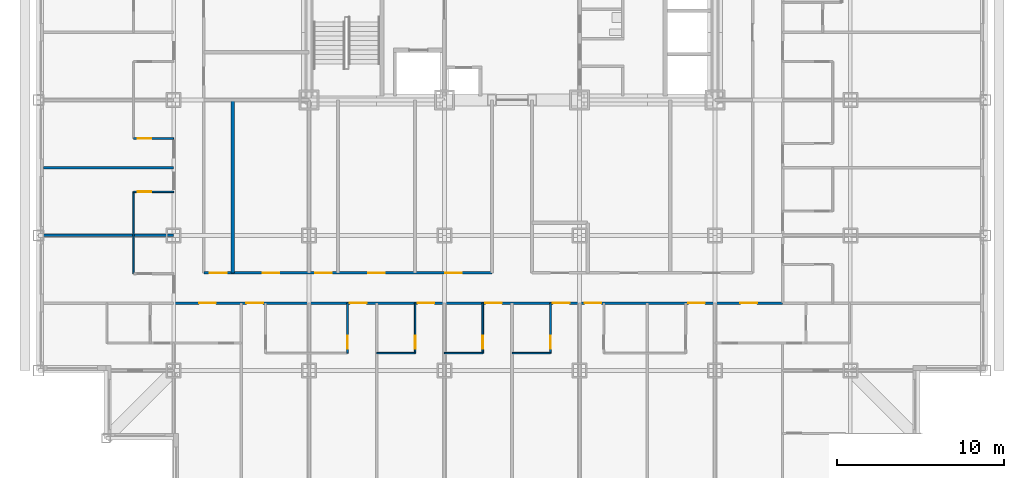
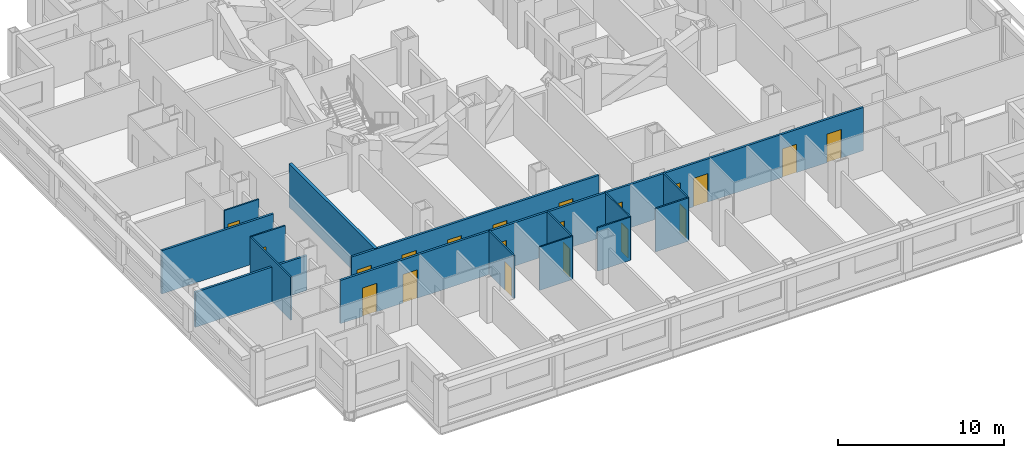
# One storey, part 4 of 13: 20 doors, 15 walls, 20 openings.
"""IFC4 building model written with IfcOpenShell, lengths in metres."""

from ifc_helpers import new_model, si_unit, direction, frame, frame_2d, origin, place, context, subcontext, project, spatial, rectangle, extrude, material, layer, layer_set, type_object, element, fill, save


model = new_model("IFC4")

# Units and contexts
model_context = context("Model", 3, precision=1e-05, world=origin(), true_north=direction((0.0, 1.0)))
body_context = subcontext(model_context, "Body", "Model", "MODEL_VIEW")
ifc_project = project(units=[si_unit("LENGTHUNIT", "METRE"), si_unit("AREAUNIT", "SQUARE_METRE"), si_unit("VOLUMEUNIT", "CUBIC_METRE"), si_unit("PLANEANGLEUNIT", "RADIAN"), si_unit("MASSUNIT", "GRAM", prefix="KILO")], contexts=[model_context])

# Site, building, storey
site_placement = place(None, origin())
site = spatial("IfcSite", under=ifc_project, at=site_placement, CompositionType="ELEMENT")
building_placement = place(site_placement, origin())
building = spatial("IfcBuilding", under=site, at=building_placement, Name="Kopane Lantern Tower", CompositionType="ELEMENT")
storey_placement = place(building_placement, frame((0.0, 0.0, 67.0)))
storey = spatial("IfcBuildingStorey", under=building, at=storey_placement, Name="L16", CompositionType="ELEMENT", Elevation=67.0)

# Wall, opening, door
ifc_material_1 = material(Name="Moisture-resistant board on steel studs", Category="steel")
ifc_layer_1 = layer(ifc_material_1, 0.10009765625)
ifc_layer_set_1 = layer_set([ifc_layer_1], Name="BATHROOM WALL 100")
wall_type_1 = type_object("IfcWallType", Name="BATHROOM WALL 100", PredefinedType="PARTITIONING", material=ifc_layer_set_1)
wall_1_placement = place(storey_placement, frame((18.5, 12.14990234375, 0.0), z_axis=(0.0, 0.0, 1.0), x_axis=(0.0, -1.0, 0.0)))
wall_1 = element("IfcWall", 1, at=wall_1_placement, inside=storey, type_object=wall_type_1, Name="Bathroom Wall 100 L16", PredefinedType="PARTITIONING", context=body_context, shape_type="SweptSolid", body=[
    extrude(rectangle(XDim=3.0, YDim=0.10009765625, at=frame_2d((1.5, 0.0))), origin(), (0.0, 0.0, 1.0), 3.18994140625),
])
opening_1_placement = place(wall_1_placement, frame((1.949951171875, 0.0, 0.0)))
opening_1 = element("IfcOpeningElement", 2, at=opening_1_placement, cuts=wall_1, Name="Opening L16-017", PredefinedType="OPENING", context=body_context, shape_type="SweptSolid", body=[
    extrude(rectangle(XDim=0.800048828125, YDim=2.10009765625, at=frame_2d((0.39990234375, 1.050048828125))), frame((0.0, 0.06005859375, 0.0), z_axis=(0.0, -1.0, 0.0), x_axis=(1.0, 0.0, 0.0)), (0.0, 0.0, 1.0), 0.1201171875),
])
ifc_material_2 = material(Name="Timber door set", Category="wood")
door_type_1 = type_object("IfcDoorType", Name="DOOR D2 800x2100", OperationType="SINGLE_SWING_LEFT", PredefinedType="DOOR", material=ifc_material_2)
door_1_placement = place(opening_1_placement, origin())
door_1 = element("IfcDoor", 3, at=door_1_placement, inside=storey, type_object=door_type_1, Name="Door L16-017", OperationType="SINGLE_SWING_LEFT", OverallHeight=2.10009765625, OverallWidth=0.800048828125, PredefinedType="DOOR", context=body_context, shape_type="SweptSolid", body=[
    extrude(rectangle(XDim=0.800048828125, YDim=2.10009765625, at=frame_2d((0.39990234375, 1.050048828125))), frame((0.0, 0.02490234375, 0.0), z_axis=(0.0, -1.0, 0.0), x_axis=(1.0, 0.0, 0.0)), (0.0, 0.0, 1.0), 0.050048828125),
])
fill(opening_1, door_1)

# Wall
wall_2_placement = place(storey_placement, frame((20.25, 9.14990234375, 0.0), z_axis=(0.0, 0.0, 1.0), x_axis=(1.0, 0.0, 0.0)))
element("IfcWall", 4, at=wall_2_placement, inside=storey, type_object=wall_type_1, Name="Bathroom Wall 100 L16", PredefinedType="PARTITIONING", context=body_context, shape_type="SweptSolid", body=[
    extrude(rectangle(XDim=2.300048828125, YDim=0.10009765625, at=frame_2d((1.14990234375, 0.0))), origin(), (0.0, 0.0, 1.0), 3.18994140625),
])

# Wall, opening, door
wall_3_placement = place(storey_placement, frame((22.550048828125, 12.14990234375, 0.0), z_axis=(0.0, 0.0, 1.0), x_axis=(0.0, -1.0, 0.0)))
wall_3 = element("IfcWall", 5, at=wall_3_placement, inside=storey, type_object=wall_type_1, Name="Bathroom Wall 100 L16", PredefinedType="PARTITIONING", context=body_context, shape_type="SweptSolid", body=[
    extrude(rectangle(XDim=3.0, YDim=0.10009765625, at=frame_2d((1.5, 0.0))), origin(), (0.0, 0.0, 1.0), 3.18994140625),
])
opening_2_placement = place(wall_3_placement, frame((1.949951171875, 0.0, 0.0)))
opening_2 = element("IfcOpeningElement", 6, at=opening_2_placement, cuts=wall_3, Name="Opening L16-019", PredefinedType="OPENING", context=body_context, shape_type="SweptSolid", body=[
    extrude(rectangle(XDim=0.800048828125, YDim=2.10009765625, at=frame_2d((0.39990234375, 1.050048828125))), frame((0.0, 0.06005859375, 0.0), z_axis=(0.0, -1.0, 0.0), x_axis=(1.0, 0.0, 0.0)), (0.0, 0.0, 1.0), 0.1201171875),
])
door_2_placement = place(opening_2_placement, origin())
door_2 = element("IfcDoor", 7, at=door_2_placement, inside=storey, type_object=door_type_1, Name="Door L16-019", OperationType="SINGLE_SWING_LEFT", OverallHeight=2.10009765625, OverallWidth=0.800048828125, PredefinedType="DOOR", context=body_context, shape_type="SweptSolid", body=[
    extrude(rectangle(XDim=0.800048828125, YDim=2.10009765625, at=frame_2d((0.39990234375, 1.050048828125))), frame((0.0, 0.02490234375, 0.0), z_axis=(0.0, -1.0, 0.0), x_axis=(1.0, 0.0, 0.0)), (0.0, 0.0, 1.0), 0.050048828125),
])
fill(opening_2, door_2)

# Wall
wall_4_placement = place(storey_placement, frame((24.300048828125, 9.14990234375, 0.0), z_axis=(0.0, 0.0, 1.0), x_axis=(1.0, 0.0, 0.0)))
element("IfcWall", 8, at=wall_4_placement, inside=storey, type_object=wall_type_1, Name="Bathroom Wall 100 L16", PredefinedType="PARTITIONING", context=body_context, shape_type="SweptSolid", body=[
    extrude(rectangle(XDim=2.300048828125, YDim=0.10009765625, at=frame_2d((1.14990234375, 0.0))), origin(), (0.0, 0.0, 1.0), 3.18994140625),
])

# Wall, opening, door
wall_5_placement = place(storey_placement, frame((26.60009765625, 12.14990234375, 0.0), z_axis=(0.0, 0.0, 1.0), x_axis=(0.0, -1.0, 0.0)))
wall_5 = element("IfcWall", 9, at=wall_5_placement, inside=storey, type_object=wall_type_1, Name="Bathroom Wall 100 L16", PredefinedType="PARTITIONING", context=body_context, shape_type="SweptSolid", body=[
    extrude(rectangle(XDim=3.0, YDim=0.10009765625, at=frame_2d((1.5, 0.0))), origin(), (0.0, 0.0, 1.0), 3.18994140625),
])
opening_3_placement = place(wall_5_placement, frame((1.949951171875, 0.0, 0.0)))
opening_3 = element("IfcOpeningElement", 10, at=opening_3_placement, cuts=wall_5, Name="Opening L16-021", PredefinedType="OPENING", context=body_context, shape_type="SweptSolid", body=[
    extrude(rectangle(XDim=0.800048828125, YDim=2.10009765625, at=frame_2d((0.39990234375, 1.050048828125))), frame((0.0, 0.06005859375, 0.0), z_axis=(0.0, -1.0, 0.0), x_axis=(1.0, 0.0, 0.0)), (0.0, 0.0, 1.0), 0.1201171875),
])
door_3_placement = place(opening_3_placement, origin())
door_3 = element("IfcDoor", 11, at=door_3_placement, inside=storey, type_object=door_type_1, Name="Door L16-021", OperationType="SINGLE_SWING_LEFT", OverallHeight=2.10009765625, OverallWidth=0.800048828125, PredefinedType="DOOR", context=body_context, shape_type="SweptSolid", body=[
    extrude(rectangle(XDim=0.800048828125, YDim=2.10009765625, at=frame_2d((0.39990234375, 1.050048828125))), frame((0.0, 0.02490234375, 0.0), z_axis=(0.0, -1.0, 0.0), x_axis=(1.0, 0.0, 0.0)), (0.0, 0.0, 1.0), 0.050048828125),
])
fill(opening_3, door_3)

# Wall
wall_6_placement = place(storey_placement, frame((28.35009765625, 9.14990234375, 0.0), z_axis=(0.0, 0.0, 1.0), x_axis=(1.0, 0.0, 0.0)))
element("IfcWall", 12, at=wall_6_placement, inside=storey, type_object=wall_type_1, Name="Bathroom Wall 100 L16", PredefinedType="PARTITIONING", context=body_context, shape_type="SweptSolid", body=[
    extrude(rectangle(XDim=2.2998046875, YDim=0.10009765625, at=frame_2d((1.14990234375, 0.0))), origin(), (0.0, 0.0, 1.0), 3.18994140625),
])

# Wall, opening, door
wall_7_placement = place(storey_placement, frame((30.64990234375, 12.14990234375, 0.0), z_axis=(0.0, 0.0, 1.0), x_axis=(0.0, -1.0, 0.0)))
wall_7 = element("IfcWall", 13, at=wall_7_placement, inside=storey, type_object=wall_type_1, Name="Bathroom Wall 100 L16", PredefinedType="PARTITIONING", context=body_context, shape_type="SweptSolid", body=[
    extrude(rectangle(XDim=3.0, YDim=0.10009765625, at=frame_2d((1.5, 0.0))), origin(), (0.0, 0.0, 1.0), 3.18994140625),
])
opening_4_placement = place(wall_7_placement, frame((1.949951171875, 0.0, 0.0)))
opening_4 = element("IfcOpeningElement", 14, at=opening_4_placement, cuts=wall_7, Name="Opening L16-023", PredefinedType="OPENING", context=body_context, shape_type="SweptSolid", body=[
    extrude(rectangle(XDim=0.800048828125, YDim=2.10009765625, at=frame_2d((0.39990234375, 1.050048828125))), frame((0.0, 0.06005859375, 0.0), z_axis=(0.0, -1.0, 0.0), x_axis=(1.0, 0.0, 0.0)), (0.0, 0.0, 1.0), 0.1201171875),
])
door_4_placement = place(opening_4_placement, origin())
door_4 = element("IfcDoor", 15, at=door_4_placement, inside=storey, type_object=door_type_1, Name="Door L16-023", OperationType="SINGLE_SWING_LEFT", OverallHeight=2.10009765625, OverallWidth=0.800048828125, PredefinedType="DOOR", context=body_context, shape_type="SweptSolid", body=[
    extrude(rectangle(XDim=0.800048828125, YDim=2.10009765625, at=frame_2d((0.39990234375, 1.050048828125))), frame((0.0, 0.02490234375, 0.0), z_axis=(0.0, -1.0, 0.0), x_axis=(1.0, 0.0, 0.0)), (0.0, 0.0, 1.0), 0.050048828125),
])
fill(opening_4, door_4)

# Wall
wall_8_placement = place(storey_placement, frame((5.699951171875, 13.89990234375, 0.0), z_axis=(0.0, 0.0, 1.0), x_axis=(0.0, 1.0, 0.0)))
element("IfcWall", 16, at=wall_8_placement, inside=storey, type_object=wall_type_1, Name="Bathroom Wall 100 L16", PredefinedType="PARTITIONING", context=body_context, shape_type="SweptSolid", body=[
    extrude(rectangle(XDim=4.900146484375, YDim=0.10009765625, at=frame_2d((2.4501953125, 0.0))), origin(), (0.0, 0.0, 1.0), 3.18994140625),
])

# Wall, opening, door
wall_9_placement = place(storey_placement, frame((8.10009765625, 18.800048828125, 0.0), z_axis=(0.0, 0.0, 1.0), x_axis=(-1.0, 0.0, 0.0)))
wall_9 = element("IfcWall", 17, at=wall_9_placement, inside=storey, type_object=wall_type_1, Name="Bathroom Wall 100 L16", PredefinedType="PARTITIONING", context=body_context, shape_type="SweptSolid", body=[
    extrude(rectangle(XDim=2.400146484375, YDim=0.10009765625, at=frame_2d((1.2001953125, 0.0))), origin(), (0.0, 0.0, 1.0), 3.18994140625),
])
opening_5_placement = place(wall_9_placement, frame((1.35009765625, 0.0, 0.0)))
opening_5 = element("IfcOpeningElement", 18, at=opening_5_placement, cuts=wall_9, Name="Opening L16-043", PredefinedType="OPENING", context=body_context, shape_type="SweptSolid", body=[
    extrude(rectangle(XDim=0.800048828125, YDim=2.10009765625, at=frame_2d((0.39990234375, 1.050048828125))), frame((0.0, 0.06005859375, 0.0), z_axis=(0.0, -1.0, 0.0), x_axis=(1.0, 0.0, 0.0)), (0.0, 0.0, 1.0), 0.1201171875),
])
door_5_placement = place(opening_5_placement, origin())
door_5 = element("IfcDoor", 19, at=door_5_placement, inside=storey, type_object=door_type_1, Name="Door L16-043", OperationType="SINGLE_SWING_RIGHT", OverallHeight=2.10009765625, OverallWidth=0.800048828125, PredefinedType="DOOR", context=body_context, shape_type="SweptSolid", body=[
    extrude(rectangle(XDim=0.800048828125, YDim=2.10009765625, at=frame_2d((0.39990234375, 1.050048828125))), frame((0.0, 0.02490234375, 0.0), z_axis=(0.0, -1.0, 0.0), x_axis=(1.0, 0.0, 0.0)), (0.0, 0.0, 1.0), 0.050048828125),
])
fill(opening_5, door_5)

wall_10_placement = place(storey_placement, frame((8.10009765625, 22.0, 0.0), z_axis=(0.0, 0.0, 1.0), x_axis=(-1.0, 0.0, 0.0)))
wall_10 = element("IfcWall", 20, at=wall_10_placement, inside=storey, type_object=wall_type_1, Name="Bathroom Wall 100 L16", PredefinedType="PARTITIONING", context=body_context, shape_type="SweptSolid", body=[
    extrude(rectangle(XDim=2.400146484375, YDim=0.10009765625, at=frame_2d((1.2001953125, 0.0))), origin(), (0.0, 0.0, 1.0), 3.18994140625),
])
opening_6_placement = place(wall_10_placement, frame((1.35009765625, 0.0, 0.0)))
opening_6 = element("IfcOpeningElement", 21, at=opening_6_placement, cuts=wall_10, Name="Opening L16-045", PredefinedType="OPENING", context=body_context, shape_type="SweptSolid", body=[
    extrude(rectangle(XDim=0.800048828125, YDim=2.10009765625, at=frame_2d((0.39990234375, 1.050048828125))), frame((0.0, 0.06005859375, 0.0), z_axis=(0.0, -1.0, 0.0), x_axis=(1.0, 0.0, 0.0)), (0.0, 0.0, 1.0), 0.1201171875),
])
door_6_placement = place(opening_6_placement, origin())
door_6 = element("IfcDoor", 22, at=door_6_placement, inside=storey, type_object=door_type_1, Name="Door L16-045", OperationType="SINGLE_SWING_LEFT", OverallHeight=2.10009765625, OverallWidth=0.800048828125, PredefinedType="DOOR", context=body_context, shape_type="SweptSolid", body=[
    extrude(rectangle(XDim=0.800048828125, YDim=2.10009765625, at=frame_2d((0.39990234375, 1.050048828125))), frame((0.0, 0.02490234375, 0.0), z_axis=(0.0, -1.0, 0.0), x_axis=(1.0, 0.0, 0.0)), (0.0, 0.0, 1.0), 0.050048828125),
])
fill(opening_6, door_6)

# Wall, openings, doors
ifc_material_3 = material(Name="Gypsum board on steel studs", Category="steel")
ifc_layer_2 = layer(ifc_material_3, 0.14990234375)
ifc_layer_set_2 = layer_set([ifc_layer_2], Name="CORRIDOR WALL 150 EI 60")
wall_type_2 = type_object("IfcWallType", Name="CORRIDOR WALL 150 EI 60", PredefinedType="PARTITIONING", material=ifc_layer_set_2)
wall_11_placement = place(storey_placement, frame((8.10009765625, 12.14990234375, 0.0), z_axis=(0.0, 0.0, 1.0), x_axis=(1.0, 0.0, 0.0)))
wall_11 = element("IfcWall", 23, at=wall_11_placement, inside=storey, type_object=wall_type_2, Name="Corridor Wall 150 Ei 60 L16", PredefinedType="PARTITIONING", context=body_context, shape_type="SweptSolid", body=[
    extrude(rectangle(XDim=36.449951171875, YDim=0.14990234375, at=frame_2d((18.22509765625, 0.0))), origin(), (0.0, 0.0, 1.0), 3.18994140625),
])
opening_7_placement = place(wall_11_placement, frame((4.35009765625, 0.0, 0.0)))
opening_7 = element("IfcOpeningElement", 24, at=opening_7_placement, cuts=wall_11, Name="Opening L16-016", PredefinedType="OPENING", context=body_context, shape_type="SweptSolid", body=[
    extrude(rectangle(XDim=1.0, YDim=2.10009765625, at=frame_2d((0.5, 1.050048828125))), frame((0.0, 0.0849609375, 0.0), z_axis=(0.0, -1.0, 0.0), x_axis=(1.0, 0.0, 0.0)), (0.0, 0.0, 1.0), 0.169921875),
])
opening_8_placement = place(wall_11_placement, frame((10.550048828125, 0.0, 0.0)))
opening_8 = element("IfcOpeningElement", 25, at=opening_8_placement, cuts=wall_11, Name="Opening L16-018", PredefinedType="OPENING", context=body_context, shape_type="SweptSolid", body=[
    extrude(rectangle(XDim=1.0, YDim=2.10009765625, at=frame_2d((0.5, 1.050048828125))), frame((0.0, 0.0849609375, 0.0), z_axis=(0.0, -1.0, 0.0), x_axis=(1.0, 0.0, 0.0)), (0.0, 0.0, 1.0), 0.169921875),
])
opening_9_placement = place(wall_11_placement, frame((14.60009765625, 0.0, 0.0)))
opening_9 = element("IfcOpeningElement", 26, at=opening_9_placement, cuts=wall_11, Name="Opening L16-020", PredefinedType="OPENING", context=body_context, shape_type="SweptSolid", body=[
    extrude(rectangle(XDim=1.0, YDim=2.10009765625, at=frame_2d((0.5, 1.050048828125))), frame((0.0, 0.0849609375, 0.0), z_axis=(0.0, -1.0, 0.0), x_axis=(1.0, 0.0, 0.0)), (0.0, 0.0, 1.0), 0.169921875),
])
opening_10_placement = place(wall_11_placement, frame((18.64990234375, 0.0, 0.0)))
opening_10 = element("IfcOpeningElement", 27, at=opening_10_placement, cuts=wall_11, Name="Opening L16-022", PredefinedType="OPENING", context=body_context, shape_type="SweptSolid", body=[
    extrude(rectangle(XDim=1.0, YDim=2.10009765625, at=frame_2d((0.5, 1.050048828125))), frame((0.0, 0.0849609375, 0.0), z_axis=(0.0, -1.0, 0.0), x_axis=(1.0, 0.0, 0.0)), (0.0, 0.0, 1.0), 0.169921875),
])
opening_11_placement = place(wall_11_placement, frame((22.699951171875, 0.0, 0.0)))
opening_11 = element("IfcOpeningElement", 28, at=opening_11_placement, cuts=wall_11, Name="Opening L16-024", PredefinedType="OPENING", context=body_context, shape_type="SweptSolid", body=[
    extrude(rectangle(XDim=1.0, YDim=2.10009765625, at=frame_2d((0.5, 1.050048828125))), frame((0.0, 0.0849609375, 0.0), z_axis=(0.0, -1.0, 0.0), x_axis=(1.0, 0.0, 0.0)), (0.0, 0.0, 1.0), 0.169921875),
])
opening_12_placement = place(wall_11_placement, frame((24.60009765625, 0.0, 0.0)))
opening_12 = element("IfcOpeningElement", 29, at=opening_12_placement, cuts=wall_11, Name="Opening L16-026", PredefinedType="OPENING", context=body_context, shape_type="SweptSolid", body=[
    extrude(rectangle(XDim=1.0, YDim=2.10009765625, at=frame_2d((0.5, 1.050048828125))), frame((0.0, 0.0849609375, 0.0), z_axis=(0.0, -1.0, 0.0), x_axis=(1.0, 0.0, 0.0)), (0.0, 0.0, 1.0), 0.169921875),
])
opening_13_placement = place(wall_11_placement, frame((30.800048828125, 0.0, 0.0)))
opening_13 = element("IfcOpeningElement", 30, at=opening_13_placement, cuts=wall_11, Name="Opening L16-028", PredefinedType="OPENING", context=body_context, shape_type="SweptSolid", body=[
    extrude(rectangle(XDim=1.0, YDim=2.10009765625, at=frame_2d((0.5, 1.050048828125))), frame((0.0, 0.0849609375, 0.0), z_axis=(0.0, -1.0, 0.0), x_axis=(1.0, 0.0, 0.0)), (0.0, 0.0, 1.0), 0.169921875),
])
opening_14_placement = place(wall_11_placement, frame((1.52490234375, 0.0, 0.0)))
opening_14 = element("IfcOpeningElement", 31, at=opening_14_placement, cuts=wall_11, Name="Opening L16-067", PredefinedType="OPENING", context=body_context, shape_type="SweptSolid", body=[
    extrude(rectangle(XDim=1.0, YDim=2.10009765625, at=frame_2d((0.5, 1.050048828125))), frame((0.0, 0.0849609375, 0.0), z_axis=(0.0, -1.0, 0.0), x_axis=(1.0, 0.0, 0.0)), (0.0, 0.0, 1.0), 0.169921875),
])
opening_15_placement = place(wall_11_placement, frame((33.925048828125, 0.0, 0.0)))
opening_15 = element("IfcOpeningElement", 32, at=opening_15_placement, cuts=wall_11, Name="Opening L16-072", PredefinedType="OPENING", context=body_context, shape_type="SweptSolid", body=[
    extrude(rectangle(XDim=1.0, YDim=2.10009765625, at=frame_2d((0.5, 1.050048828125))), frame((0.0, 0.0849609375, 0.0), z_axis=(0.0, -1.0, 0.0), x_axis=(1.0, 0.0, 0.0)), (0.0, 0.0, 1.0), 0.169921875),
])
ifc_material_4 = material(Name="Steel door set", Category="steel")
door_type_2 = type_object("IfcDoorType", Name="DOOR D1 1000x2100 FD30S", OperationType="SINGLE_SWING_LEFT", PredefinedType="DOOR", material=ifc_material_4)
door_7_placement = place(opening_7_placement, origin())
door_7 = element("IfcDoor", 33, at=door_7_placement, inside=storey, type_object=door_type_2, Name="Door L16-016", OperationType="SINGLE_SWING_LEFT", OverallHeight=2.10009765625, OverallWidth=1.0, PredefinedType="DOOR", context=body_context, shape_type="SweptSolid", body=[
    extrude(rectangle(XDim=1.0, YDim=2.10009765625, at=frame_2d((0.5, 1.050048828125))), frame((0.0, 0.02490234375, 0.0), z_axis=(0.0, -1.0, 0.0), x_axis=(1.0, 0.0, 0.0)), (0.0, 0.0, 1.0), 0.050048828125),
])
fill(opening_7, door_7)
door_8_placement = place(opening_8_placement, origin())
door_8 = element("IfcDoor", 34, at=door_8_placement, inside=storey, type_object=door_type_2, Name="Door L16-018", OperationType="SINGLE_SWING_RIGHT", OverallHeight=2.10009765625, OverallWidth=1.0, PredefinedType="DOOR", context=body_context, shape_type="SweptSolid", body=[
    extrude(rectangle(XDim=1.0, YDim=2.10009765625, at=frame_2d((0.5, 1.050048828125))), frame((0.0, 0.02490234375, 0.0), z_axis=(0.0, -1.0, 0.0), x_axis=(1.0, 0.0, 0.0)), (0.0, 0.0, 1.0), 0.050048828125),
])
fill(opening_8, door_8)
door_9_placement = place(opening_9_placement, origin())
door_9 = element("IfcDoor", 35, at=door_9_placement, inside=storey, type_object=door_type_2, Name="Door L16-020", OperationType="SINGLE_SWING_RIGHT", OverallHeight=2.10009765625, OverallWidth=1.0, PredefinedType="DOOR", context=body_context, shape_type="SweptSolid", body=[
    extrude(rectangle(XDim=1.0, YDim=2.10009765625, at=frame_2d((0.5, 1.050048828125))), frame((0.0, 0.02490234375, 0.0), z_axis=(0.0, -1.0, 0.0), x_axis=(1.0, 0.0, 0.0)), (0.0, 0.0, 1.0), 0.050048828125),
])
fill(opening_9, door_9)
door_10_placement = place(opening_10_placement, origin())
door_10 = element("IfcDoor", 36, at=door_10_placement, inside=storey, type_object=door_type_2, Name="Door L16-022", OperationType="SINGLE_SWING_RIGHT", OverallHeight=2.10009765625, OverallWidth=1.0, PredefinedType="DOOR", context=body_context, shape_type="SweptSolid", body=[
    extrude(rectangle(XDim=1.0, YDim=2.10009765625, at=frame_2d((0.5, 1.050048828125))), frame((0.0, 0.02490234375, 0.0), z_axis=(0.0, -1.0, 0.0), x_axis=(1.0, 0.0, 0.0)), (0.0, 0.0, 1.0), 0.050048828125),
])
fill(opening_10, door_10)
door_11_placement = place(opening_11_placement, origin())
door_11 = element("IfcDoor", 37, at=door_11_placement, inside=storey, type_object=door_type_2, Name="Door L16-024", OperationType="SINGLE_SWING_RIGHT", OverallHeight=2.10009765625, OverallWidth=1.0, PredefinedType="DOOR", context=body_context, shape_type="SweptSolid", body=[
    extrude(rectangle(XDim=1.0, YDim=2.10009765625, at=frame_2d((0.5, 1.050048828125))), frame((0.0, 0.02490234375, 0.0), z_axis=(0.0, -1.0, 0.0), x_axis=(1.0, 0.0, 0.0)), (0.0, 0.0, 1.0), 0.050048828125),
])
fill(opening_11, door_11)
door_12_placement = place(opening_12_placement, origin())
door_12 = element("IfcDoor", 38, at=door_12_placement, inside=storey, type_object=door_type_2, Name="Door L16-026", OperationType="SINGLE_SWING_LEFT", OverallHeight=2.10009765625, OverallWidth=1.0, PredefinedType="DOOR", context=body_context, shape_type="SweptSolid", body=[
    extrude(rectangle(XDim=1.0, YDim=2.10009765625, at=frame_2d((0.5, 1.050048828125))), frame((0.0, 0.02490234375, 0.0), z_axis=(0.0, -1.0, 0.0), x_axis=(1.0, 0.0, 0.0)), (0.0, 0.0, 1.0), 0.050048828125),
])
fill(opening_12, door_12)
door_13_placement = place(opening_13_placement, origin())
door_13 = element("IfcDoor", 39, at=door_13_placement, inside=storey, type_object=door_type_2, Name="Door L16-028", OperationType="SINGLE_SWING_RIGHT", OverallHeight=2.10009765625, OverallWidth=1.0, PredefinedType="DOOR", context=body_context, shape_type="SweptSolid", body=[
    extrude(rectangle(XDim=1.0, YDim=2.10009765625, at=frame_2d((0.5, 1.050048828125))), frame((0.0, 0.02490234375, 0.0), z_axis=(0.0, -1.0, 0.0), x_axis=(1.0, 0.0, 0.0)), (0.0, 0.0, 1.0), 0.050048828125),
])
fill(opening_13, door_13)
door_14_placement = place(opening_14_placement, origin())
door_14 = element("IfcDoor", 40, at=door_14_placement, inside=storey, type_object=door_type_2, Name="Door L16-067", OperationType="SINGLE_SWING_LEFT", OverallHeight=2.10009765625, OverallWidth=1.0, PredefinedType="DOOR", context=body_context, shape_type="SweptSolid", body=[
    extrude(rectangle(XDim=1.0, YDim=2.10009765625, at=frame_2d((0.5, 1.050048828125))), frame((0.0, 0.02490234375, 0.0), z_axis=(0.0, -1.0, 0.0), x_axis=(1.0, 0.0, 0.0)), (0.0, 0.0, 1.0), 0.050048828125),
])
fill(opening_14, door_14)
door_15_placement = place(opening_15_placement, origin())
door_15 = element("IfcDoor", 41, at=door_15_placement, inside=storey, type_object=door_type_2, Name="Door L16-072", OperationType="SINGLE_SWING_RIGHT", OverallHeight=2.10009765625, OverallWidth=1.0, PredefinedType="DOOR", context=body_context, shape_type="SweptSolid", body=[
    extrude(rectangle(XDim=1.0, YDim=2.10009765625, at=frame_2d((0.5, 1.050048828125))), frame((0.0, 0.02490234375, 0.0), z_axis=(0.0, -1.0, 0.0), x_axis=(1.0, 0.0, 0.0)), (0.0, 0.0, 1.0), 0.050048828125),
])
fill(opening_15, door_15)

wall_12_placement = place(storey_placement, frame((9.89990234375, 13.949951171875, 0.0), z_axis=(0.0, 0.0, 1.0), x_axis=(1.0, 0.0, 0.0)))
wall_12 = element("IfcWall", 42, at=wall_12_placement, inside=storey, type_object=wall_type_2, Name="Corridor Wall 150 Ei 60 L16", PredefinedType="PARTITIONING", context=body_context, shape_type="SweptSolid", body=[
    extrude(rectangle(XDim=17.239990234375, YDim=0.14990234375, at=frame_2d((8.6201171875, 0.0))), origin(), (0.0, 0.0, 1.0), 3.18994140625),
])
opening_16_placement = place(wall_12_placement, frame((0.36962890625, 0.0, 0.0)))
opening_16 = element("IfcOpeningElement", 43, at=opening_16_placement, cuts=wall_12, Name="Opening L16-007", PredefinedType="OPENING", context=body_context, shape_type="SweptSolid", body=[
    extrude(rectangle(XDim=1.0, YDim=2.10009765625, at=frame_2d((0.5, 1.050048828125))), frame((0.0, 0.0849609375, 0.0), z_axis=(0.0, -1.0, 0.0), x_axis=(1.0, 0.0, 0.0)), (0.0, 0.0, 1.0), 0.169921875),
])
opening_17_placement = place(wall_12_placement, frame((3.51953125, 0.0, 0.0)))
opening_17 = element("IfcOpeningElement", 44, at=opening_17_placement, cuts=wall_12, Name="Opening L16-008", PredefinedType="OPENING", context=body_context, shape_type="SweptSolid", body=[
    extrude(rectangle(XDim=1.0, YDim=2.10009765625, at=frame_2d((0.5, 1.050048828125))), frame((0.0, 0.0849609375, 0.0), z_axis=(0.0, -1.0, 0.0), x_axis=(1.0, 0.0, 0.0)), (0.0, 0.0, 1.0), 0.169921875),
])
opening_18_placement = place(wall_12_placement, frame((6.669677734375, 0.0, 0.0)))
opening_18 = element("IfcOpeningElement", 45, at=opening_18_placement, cuts=wall_12, Name="Opening L16-009", PredefinedType="OPENING", context=body_context, shape_type="SweptSolid", body=[
    extrude(rectangle(XDim=1.0, YDim=2.10009765625, at=frame_2d((0.5, 1.050048828125))), frame((0.0, 0.0849609375, 0.0), z_axis=(0.0, -1.0, 0.0), x_axis=(1.0, 0.0, 0.0)), (0.0, 0.0, 1.0), 0.169921875),
])
opening_19_placement = place(wall_12_placement, frame((9.841796875, 0.0, 0.0)))
opening_19 = element("IfcOpeningElement", 46, at=opening_19_placement, cuts=wall_12, Name="Opening L16-010", PredefinedType="OPENING", context=body_context, shape_type="SweptSolid", body=[
    extrude(rectangle(XDim=1.0, YDim=2.10009765625, at=frame_2d((0.5, 1.050048828125))), frame((0.0, 0.0849609375, 0.0), z_axis=(0.0, -1.0, 0.0), x_axis=(1.0, 0.0, 0.0)), (0.0, 0.0, 1.0), 0.169921875),
])
opening_20_placement = place(wall_12_placement, frame((14.447265625, 0.0, 0.0)))
opening_20 = element("IfcOpeningElement", 47, at=opening_20_placement, cuts=wall_12, Name="Opening L16-011", PredefinedType="OPENING", context=body_context, shape_type="SweptSolid", body=[
    extrude(rectangle(XDim=1.0, YDim=2.10009765625, at=frame_2d((0.5, 1.050048828125))), frame((0.0, 0.0849609375, 0.0), z_axis=(0.0, -1.0, 0.0), x_axis=(1.0, 0.0, 0.0)), (0.0, 0.0, 1.0), 0.169921875),
])
ifc_material_5 = material(Name="Steel door set", Category="steel")
door_type_3 = type_object("IfcDoorType", Name="DOOR D5 1000x2100 FD60", OperationType="SINGLE_SWING_LEFT", PredefinedType="DOOR", material=ifc_material_5)
door_16_placement = place(opening_16_placement, origin())
door_16 = element("IfcDoor", 48, at=door_16_placement, inside=storey, type_object=door_type_3, Name="Door L16-007", OperationType="SINGLE_SWING_LEFT", OverallHeight=2.10009765625, OverallWidth=1.0, PredefinedType="DOOR", context=body_context, shape_type="SweptSolid", body=[
    extrude(rectangle(XDim=1.0, YDim=2.10009765625, at=frame_2d((0.5, 1.050048828125))), frame((0.0, 0.02490234375, 0.0), z_axis=(0.0, -1.0, 0.0), x_axis=(1.0, 0.0, 0.0)), (0.0, 0.0, 1.0), 0.050048828125),
])
fill(opening_16, door_16)
door_17_placement = place(opening_17_placement, origin())
door_17 = element("IfcDoor", 49, at=door_17_placement, inside=storey, type_object=door_type_3, Name="Door L16-008", OperationType="SINGLE_SWING_RIGHT", OverallHeight=2.10009765625, OverallWidth=1.0, PredefinedType="DOOR", context=body_context, shape_type="SweptSolid", body=[
    extrude(rectangle(XDim=1.0, YDim=2.10009765625, at=frame_2d((0.5, 1.050048828125))), frame((0.0, 0.02490234375, 0.0), z_axis=(0.0, -1.0, 0.0), x_axis=(1.0, 0.0, 0.0)), (0.0, 0.0, 1.0), 0.050048828125),
])
fill(opening_17, door_17)
door_18_placement = place(opening_18_placement, origin())
door_18 = element("IfcDoor", 50, at=door_18_placement, inside=storey, type_object=door_type_3, Name="Door L16-009", OperationType="SINGLE_SWING_LEFT", OverallHeight=2.10009765625, OverallWidth=1.0, PredefinedType="DOOR", context=body_context, shape_type="SweptSolid", body=[
    extrude(rectangle(XDim=1.0, YDim=2.10009765625, at=frame_2d((0.5, 1.050048828125))), frame((0.0, 0.02490234375, 0.0), z_axis=(0.0, -1.0, 0.0), x_axis=(1.0, 0.0, 0.0)), (0.0, 0.0, 1.0), 0.050048828125),
])
fill(opening_18, door_18)
door_19_placement = place(opening_19_placement, origin())
door_19 = element("IfcDoor", 51, at=door_19_placement, inside=storey, type_object=door_type_3, Name="Door L16-010", OperationType="SINGLE_SWING_RIGHT", OverallHeight=2.10009765625, OverallWidth=1.0, PredefinedType="DOOR", context=body_context, shape_type="SweptSolid", body=[
    extrude(rectangle(XDim=1.0, YDim=2.10009765625, at=frame_2d((0.5, 1.050048828125))), frame((0.0, 0.02490234375, 0.0), z_axis=(0.0, -1.0, 0.0), x_axis=(1.0, 0.0, 0.0)), (0.0, 0.0, 1.0), 0.050048828125),
])
fill(opening_19, door_19)
door_20_placement = place(opening_20_placement, origin())
door_20 = element("IfcDoor", 52, at=door_20_placement, inside=storey, type_object=door_type_3, Name="Door L16-011", OperationType="SINGLE_SWING_LEFT", OverallHeight=2.10009765625, OverallWidth=1.0, PredefinedType="DOOR", context=body_context, shape_type="SweptSolid", body=[
    extrude(rectangle(XDim=1.0, YDim=2.10009765625, at=frame_2d((0.5, 1.050048828125))), frame((0.0, 0.02490234375, 0.0), z_axis=(0.0, -1.0, 0.0), x_axis=(1.0, 0.0, 0.0)), (0.0, 0.0, 1.0), 0.050048828125),
])
fill(opening_20, door_20)

# Walls
ifc_material_6 = material(Name="Gypsum board on steel studs", Category="steel")
ifc_layer_3 = layer(ifc_material_6, 0.14990234375)
ifc_layer_set_3 = layer_set([ifc_layer_3], Name="DEMISING WALL 150 EI 60")
wall_type_3 = type_object("IfcWallType", Name="DEMISING WALL 150 EI 60", PredefinedType="PARTITIONING", material=ifc_layer_set_3)
wall_13_placement = place(storey_placement, frame((8.10009765625, 16.199951171875, 0.0), z_axis=(0.0, 0.0, 1.0), x_axis=(-1.0, 0.0, 0.0)))
element("IfcWall", 53, at=wall_13_placement, inside=storey, type_object=wall_type_3, Name="Demising Wall 150 Ei 60 L16", PredefinedType="PARTITIONING", context=body_context, shape_type="SweptSolid", body=[
    extrude(rectangle(XDim=7.800048828125, YDim=0.14990234375, at=frame_2d((3.89990234375, 0.0))), origin(), (0.0, 0.0, 1.0), 2.577880859375),
])
wall_14_placement = place(storey_placement, frame((8.10009765625, 20.25, 0.0), z_axis=(0.0, 0.0, 1.0), x_axis=(-1.0, 0.0, 0.0)))
element("IfcWall", 54, at=wall_14_placement, inside=storey, type_object=wall_type_3, Name="Demising Wall 150 Ei 60 L16", PredefinedType="PARTITIONING", context=body_context, shape_type="SweptSolid", body=[
    extrude(rectangle(XDim=7.800048828125, YDim=0.14990234375, at=frame_2d((3.89990234375, 0.0))), origin(), (0.0, 0.0, 1.0), 3.18994140625),
])
ifc_material_7 = material(Name="Concrete masonry", Category="masonry")
ifc_layer_4 = layer(ifc_material_7, 0.199951171875)
ifc_layer_set_4 = layer_set([ifc_layer_4], Name="PLANT ROOM WALL 200 EI 120")
wall_type_4 = type_object("IfcWallType", Name="PLANT ROOM WALL 200 EI 120", PredefinedType="SOLIDWALL", material=ifc_layer_set_4)
wall_15_placement = place(storey_placement, frame((11.63916015625, 13.949951171875, 0.0), z_axis=(0.0, 0.0, 1.0), x_axis=(0.0, 1.0, 0.0)))
element("IfcWall", 55, at=wall_15_placement, inside=storey, type_object=wall_type_4, Name="Plant Room Wall 200 Ei 120 L16", PredefinedType="SOLIDWALL", context=body_context, shape_type="SweptSolid", body=[
    extrude(rectangle(XDim=10.35009765625, YDim=0.199951171875, at=frame_2d((5.175048828125, 0.0))), origin(), (0.0, 0.0, 1.0), 3.18994140625),
])

save(model, "model.ifc")
